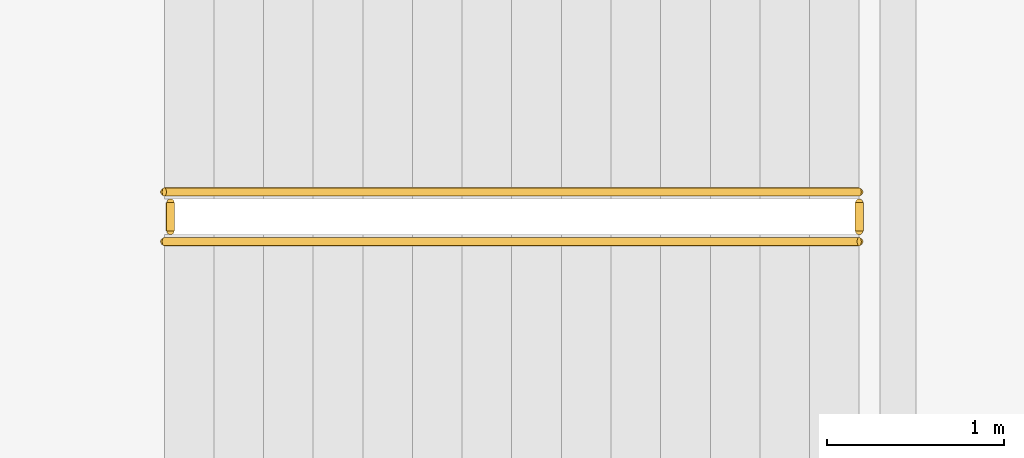
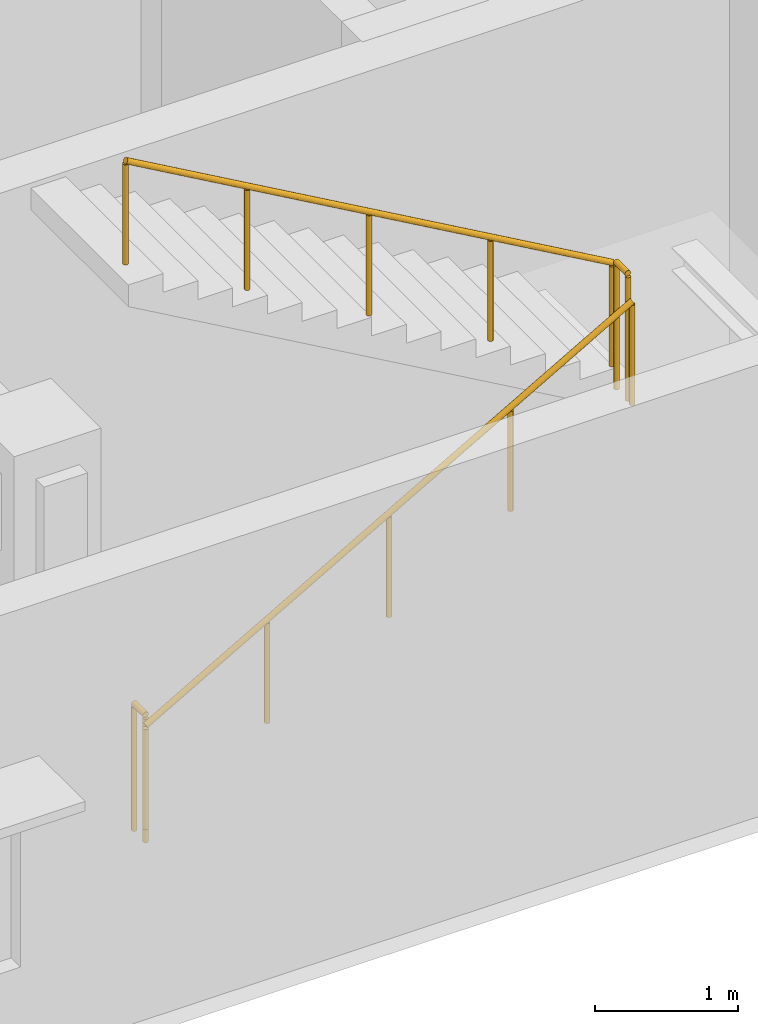
# One storey, part 63 of 64: 4 railings.
"""IFC4 building model written with IfcOpenShell, lengths in metres."""

from ifc_helpers import new_model, si_unit, direction, frame, origin, origin_2d, place, context, subcontext, project, spatial, circle, extrude, material, type_object, element, save


model = new_model("IFC4")

# Units and contexts
model_context = context("Model", 3, precision=1e-05, world=origin(), true_north=direction((0.0, 1.0)))
body_context = subcontext(model_context, "Body", "Model", "MODEL_VIEW")
ifc_project = project(units=[si_unit("LENGTHUNIT", "METRE"), si_unit("AREAUNIT", "SQUARE_METRE"), si_unit("VOLUMEUNIT", "CUBIC_METRE"), si_unit("PLANEANGLEUNIT", "RADIAN"), si_unit("MASSUNIT", "GRAM", prefix="KILO")], contexts=[model_context])

# Site, building, storey
site_placement = place(None, origin())
site = spatial("IfcSite", under=ifc_project, at=site_placement, CompositionType="ELEMENT")
building_placement = place(site_placement, origin())
building = spatial("IfcBuilding", under=site, at=building_placement, Name="Cinchona Park Media Centre", CompositionType="ELEMENT")
storey_placement = place(building_placement, frame((0.0, 0.0, 5.39990234375)))
storey = spatial("IfcBuildingStorey", under=building, at=storey_placement, Name="L01", CompositionType="ELEMENT", Elevation=5.39990234375)

# Railings
ifc_material_1 = material(Name="Painted Steel Stairwell Guardrail", Category="steel")
railing_type_1 = type_object("IfcRailingType", Name="RAILING-GR02", PredefinedType="GUARDRAIL", material=ifc_material_1)
for number, where, name in (
    (1, (166.135009765625, 73.320068359375, 0.0), "Stairwell Guardrail GR02 ST1 L01"),
    (2, (170.02001953125, 73.320068359375, 2.400146484375), "Half-Landing Guardrail GR02 ST1 L01"),
):
    element("IfcRailing", number, at=place(storey_placement, frame(where)), inside=storey, type_object=railing_type_1, Name=name, PredefinedType="GUARDRAIL", context=body_context, shape_type="SweptSolid", body=[
        extrude(circle(Radius=0.02392578125, at=origin_2d()), frame((0.0, 0.0, 1.076171875), z_axis=(0.0, 1.0, 0.0), x_axis=(-1.0, 0.0, 0.0)), (0.0, 0.0, 1.0), 0.159912109375),
        extrude(circle(Radius=0.02099609375, at=origin_2d()), origin(), (0.0, 0.0, 1.0), 1.052001953125),
        extrude(circle(Radius=0.02099609375, at=origin_2d()), frame((0.0, 0.159912109375, 0.0)), (0.0, 0.0, 1.0), 1.052001953125),
    ])
ifc_material_2 = material(Name="Brushed Stainless Steel Handrail", Category="steel")
railing_type_2 = type_object("IfcRailingType", Name="RAILING-HR01", PredefinedType="HANDRAIL", material=ifc_material_2)
railing_1_placement = place(storey_placement, frame((166.10009765625, 73.260009765625, 0.16015625)))
element("IfcRailing", 3, at=railing_1_placement, inside=storey, type_object=railing_type_2, Name="Stair Handrail HR01 ST1 L01 F1", PredefinedType="HANDRAIL", context=body_context, shape_type="SweptSolid", body=[
    extrude(circle(Radius=0.02392578125, at=origin_2d()), frame((0.0, 0.0, 0.8759765625), z_axis=(0.868239814368, 0.0, 0.496144761885), x_axis=(0.0, 1.0, 0.0)), (0.0, 0.0, 1.0), 4.514892578125),
    extrude(circle(Radius=0.02099609375, at=origin_2d()), origin(), (0.0, 0.0, 1.0), 0.851806640625),
    extrude(circle(Radius=0.02099609375, at=origin_2d()), frame((0.97998046875, 0.0, 0.56005859375)), (0.0, 0.0, 1.0), 0.851806640625),
    extrude(circle(Radius=0.02099609375, at=origin_2d()), frame((1.9599609375, 0.0, 1.1201171875)), (0.0, 0.0, 1.0), 0.851806640625),
    extrude(circle(Radius=0.02099609375, at=origin_2d()), frame((2.93994140625, 0.0, 1.679931640625)), (0.0, 0.0, 1.0), 0.851806640625),
    extrude(circle(Radius=0.02099609375, at=origin_2d()), frame((3.919921875, 0.0, 2.239990234375)), (0.0, 0.0, 1.0), 0.851806640625),
])
railing_2_placement = place(storey_placement, frame((170.02001953125, 73.5400390625, 2.56005859375)))
element("IfcRailing", 4, at=railing_2_placement, inside=storey, type_object=railing_type_2, Name="Stair Handrail HR01 ST1 L01 F2", PredefinedType="HANDRAIL", context=body_context, shape_type="SweptSolid", body=[
    extrude(circle(Radius=0.02392578125, at=origin_2d()), frame((0.0, 0.0, 0.8759765625), z_axis=(-0.868239814368, 0.0, 0.496144761885), x_axis=(0.0, -1.0, 0.0)), (0.0, 0.0, 1.0), 4.514892578125),
    extrude(circle(Radius=0.02099609375, at=origin_2d()), origin(), (0.0, 0.0, 1.0), 0.851806640625),
    extrude(circle(Radius=0.02099609375, at=origin_2d()), frame((-0.97998046875, 0.0, 0.56005859375)), (0.0, 0.0, 1.0), 0.851806640625),
    extrude(circle(Radius=0.02099609375, at=origin_2d()), frame((-1.9599609375, 0.0, 1.1201171875)), (0.0, 0.0, 1.0), 0.851806640625),
    extrude(circle(Radius=0.02099609375, at=origin_2d()), frame((-2.93994140625, 0.0, 1.679931640625)), (0.0, 0.0, 1.0), 0.851806640625),
    extrude(circle(Radius=0.02099609375, at=origin_2d()), frame((-3.919921875, 0.0, 2.239990234375)), (0.0, 0.0, 1.0), 0.851806640625),
])

save(model, "model.ifc")
